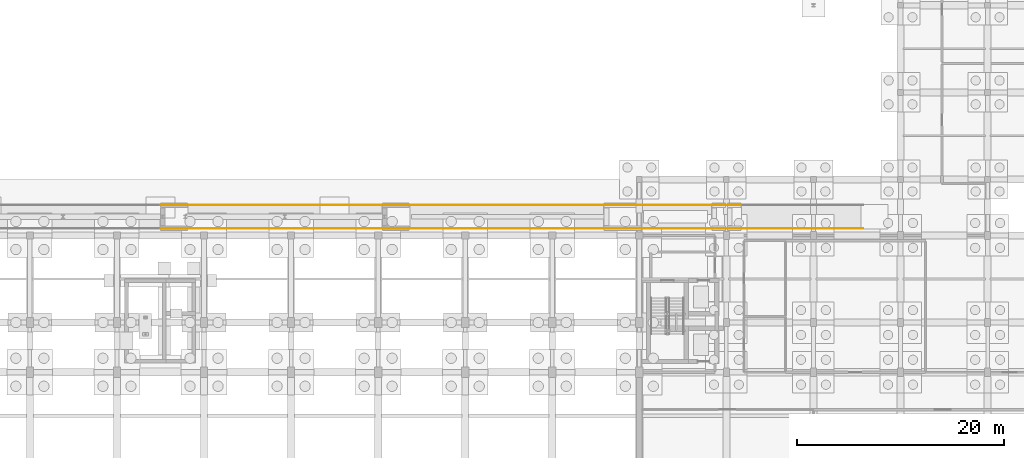
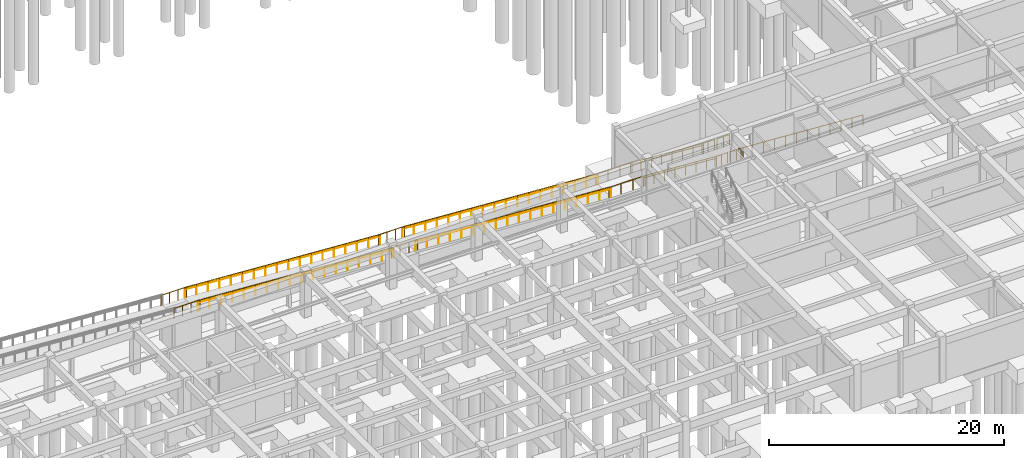
# One storey, part 46 of 49: 23 railings.
"""IFC4 building model written with IfcOpenShell, lengths in metres."""

import ifcopenshell
import ifcopenshell.guid

model = None  # the IFC model being written
_history = None  # IfcOwnerHistory: only IFC2X3 demands one
_inside = {}  # id of a spatial element -> (the spatial element, [elements in it])
_under = {}  # id of a project, library or spatial element -> (it, [spatial elements below it])
_declared = {}  # id of a project -> (the project, [libraries it declares])
_typed = {}  # id of a type object -> (the type object, [elements of that type])
_made_of = {}  # id of a material, layer set ... -> (it, [elements and type objects made of it])


def new_model(schema):
    """Start an empty IFC model of exactly this schema.

    Asked for "IFC4X3", IfcOpenShell would pick the latest addendum, in which some entities
    have other attributes; the version numbers below select the first issue.
    IFC2X3 requires an IfcOwnerHistory on every rooted entity: one is made here for all.
    """
    global model, _history
    if schema == "IFC4X3":
        model = ifcopenshell.file(schema_version=(4, 3, 0, 0))
    else:
        model = ifcopenshell.file(schema=schema)
    _inside.clear()
    _under.clear()
    _declared.clear()
    _typed.clear()
    _made_of.clear()
    _history = None
    if model.schema == "IFC2X3":
        org = make("IfcOrganization", Name="unknown")
        user = make(
            "IfcPersonAndOrganization",
            ThePerson=make("IfcPerson", FamilyName="unknown"),
            TheOrganization=org,
        )
        app = make(
            "IfcApplication",
            ApplicationDeveloper=org,
            Version="unknown",
            ApplicationFullName="unknown",
            ApplicationIdentifier="unknown",
        )
        _history = make(
            "IfcOwnerHistory",
            OwningUser=user,
            OwningApplication=app,
            ChangeAction="ADDED",
            CreationDate=0,
        )
    return model


def make(cls, **values):
    """One entity of the class cls with the attributes given. An attribute that is None is left unset."""
    return model.create_entity(
        cls, **{name: value for name, value in values.items() if value is not None}
    )


def rooted(cls, **values):
    """An entity with a GlobalId (a new one), such as an element, a storey or a relation."""
    return make(cls, GlobalId=ifcopenshell.guid.new(), OwnerHistory=_history, **values)


def si_unit(unit_type, name, prefix=None):
    """IfcSIUnit, for example si_unit("LENGTHUNIT", "METRE", prefix="MILLI")."""
    return make("IfcSIUnit", UnitType=unit_type, Prefix=prefix, Name=name)


def assignment(units):
    """IfcUnitAssignment: the units of a project."""
    return None if units is None else make("IfcUnitAssignment", Units=units)


def point(xyz):
    """IfcCartesianPoint."""
    return None if xyz is None else make("IfcCartesianPoint", Coordinates=xyz)


def direction(xyz):
    """IfcDirection."""
    return None if xyz is None else make("IfcDirection", DirectionRatios=xyz)


def frame(location, z_axis=None, x_axis=None):
    """IfcAxis2Placement3D, a coordinate frame: its origin and axes. An axis left out is left unset."""
    return make(
        "IfcAxis2Placement3D",
        Location=point(location),
        Axis=direction(z_axis),
        RefDirection=direction(x_axis),
    )


def frame_2d(location, x_axis=None):
    """IfcAxis2Placement2D, a coordinate frame in the plane: its origin and x axis."""
    return make(
        "IfcAxis2Placement2D", Location=point(location), RefDirection=direction(x_axis)
    )


def origin():
    """The frame at (0, 0, 0) with its axes left unset."""
    return frame((0.0, 0.0, 0.0))


def origin_2d():
    """The frame at (0, 0) in the plane with its x axis left unset."""
    return frame_2d((0.0, 0.0))


def place(relative_to, where):
    """IfcLocalPlacement: puts the frame where relative to a parent placement (None: the world)."""
    return make(
        "IfcLocalPlacement", PlacementRelTo=relative_to, RelativePlacement=where
    )


def context(
    kind, dimensions, precision=None, world=None, true_north=None, identifier=None
):
    """IfcGeometricRepresentationContext, for example the 3D "Model" context."""
    return make(
        "IfcGeometricRepresentationContext",
        ContextIdentifier=identifier,
        ContextType=kind,
        CoordinateSpaceDimension=dimensions,
        Precision=precision,
        WorldCoordinateSystem=world,
        TrueNorth=true_north,
    )


def subcontext(parent, identifier, kind, view, scale=None):
    """IfcGeometricRepresentationSubContext, for example "Body" below "Model"."""
    return make(
        "IfcGeometricRepresentationSubContext",
        ContextIdentifier=identifier,
        ContextType=kind,
        ParentContext=parent,
        TargetScale=scale,
        TargetView=view,
    )


def project(units=None, contexts=None):
    """IfcProject with its units and contexts."""
    return rooted(
        "IfcProject",
        Name="project",
        RepresentationContexts=contexts,
        UnitsInContext=assignment(units),
    )


def spatial(cls, under=None, at=None, **own):
    """A site, building, storey or space (cls), placed at a placement, below another one or the project."""
    s = rooted(cls, ObjectPlacement=at, **own)
    if under is not None:
        _under.setdefault(under.id(), (under, []))[1].append(s)
    return s


def profile(cls, at=None, kind="AREA", **sizes):
    """A parametric profile (cls). Its sizes go by their IFC names, for example OverallWidth=200.0."""
    return make(cls, ProfileType=kind, Position=at, **sizes)


def circle(**sizes):
    """IfcCircleProfileDef."""
    return profile("IfcCircleProfileDef", **sizes)


def extrude(swept, where, along, depth):
    """IfcExtrudedAreaSolid: the profile swept, set in the frame where, extruded along a direction by depth."""
    return make(
        "IfcExtrudedAreaSolid",
        SweptArea=swept,
        Position=where,
        ExtrudedDirection=direction(along),
        Depth=depth,
    )


def shape(context_of_items, identifier, shape_type, items):
    """IfcShapeRepresentation: the items that make up one representation, for example the "Body"."""
    return make(
        "IfcShapeRepresentation",
        ContextOfItems=context_of_items,
        RepresentationIdentifier=identifier,
        RepresentationType=shape_type,
        Items=items,
    )


def material(Name=None, Category=None):
    """IfcMaterial."""
    return make("IfcMaterial", Name=Name, Category=Category)


def made_of(thing, what):
    """Note that an element or type object is made of a material, layer set ...; save() writes the relation."""
    if what is not None:
        _made_of.setdefault(what.id(), (what, []))[1].append(thing)
    return thing


def type_object(cls, material=None, **own):
    """A type object (cls), such as IfcWallType, which elements share."""
    return made_of(rooted(cls, **own), material)


def element(
    cls,
    number,
    at=None,
    inside=None,
    cuts=None,
    type_object=None,
    material=None,
    context=None,
    identifier="Body",
    shape_type=None,
    held_by="IfcProductDefinitionShape",
    body=None,
    shapes=None,
    **own,
):
    """One element of the class cls, such as IfcWall. Its Tag is "e" and its number.

    at: its placement. inside: the storey or other place that contains it. cuts: it is an
    opening in that element (IfcRelVoidsElement). A single representation is given by context,
    identifier, shape_type and body (its items); several are given by shapes. held_by: the class
    of the entity that holds the representations. save() writes the other relations.
    """
    e = rooted(cls, Tag="e%d" % number, ObjectPlacement=at, **own)
    if body is not None:
        shapes = [shape(context, identifier, shape_type, body)]
    if shapes is not None:
        e.Representation = make(held_by, Representations=shapes)
    if inside is not None:
        _inside.setdefault(inside.id(), (inside, []))[1].append(e)
    if cuts is not None:
        rooted(
            "IfcRelVoidsElement", RelatingBuildingElement=cuts, RelatedOpeningElement=e
        )
    if type_object is not None:
        _typed.setdefault(type_object.id(), (type_object, []))[1].append(e)
    return made_of(e, material)


def aggregate(whole, parts):
    """IfcRelAggregates: a whole, such as a stair, and the parts it consists of."""
    return rooted("IfcRelAggregates", RelatingObject=whole, RelatedObjects=parts)


def save(model, path):
    """Write the relations noted so far, then the file.

    IfcRelAggregates (storeys below a building ...), IfcRelContainedInSpatialStructure (elements
    in a storey), IfcRelDefinesByType, IfcRelAssociatesMaterial and IfcRelDeclares: one each for
    every whole, place, type object, material and project.
    """
    for whole, parts in _under.values():
        aggregate(whole, parts)
    for where, things in _inside.values():
        rooted(
            "IfcRelContainedInSpatialStructure",
            RelatedElements=things,
            RelatingStructure=where,
        )
    for kind, things in _typed.values():
        rooted("IfcRelDefinesByType", RelatedObjects=things, RelatingType=kind)
    for what, things in _made_of.values():
        rooted("IfcRelAssociatesMaterial", RelatedObjects=things, RelatingMaterial=what)
    for by, libraries in _declared.values():
        rooted("IfcRelDeclares", RelatingContext=by, RelatedDefinitions=libraries)
    model.write(path)


model = new_model("IFC4")

# Units and contexts
model_context = context("Model", 3, precision=1e-05, world=origin(), true_north=direction((0.0, 1.0)))
body_context = subcontext(model_context, "Body", "Model", "MODEL_VIEW")
ifc_project = project(units=[si_unit("LENGTHUNIT", "METRE"), si_unit("AREAUNIT", "SQUARE_METRE"), si_unit("VOLUMEUNIT", "CUBIC_METRE"), si_unit("PLANEANGLEUNIT", "RADIAN"), si_unit("MASSUNIT", "GRAM", prefix="KILO")], contexts=[model_context])

# Site, building, storey
site_placement = place(None, origin())
site = spatial("IfcSite", under=ifc_project, at=site_placement, CompositionType="ELEMENT")
building_placement = place(site_placement, origin())
building = spatial("IfcBuilding", under=site, at=building_placement, Name="Krzemoval Escarpment Law Courts", CompositionType="ELEMENT")
storey_placement = place(building_placement, frame((0.0, 0.0, -4.800048828125)))
storey = spatial("IfcBuildingStorey", under=building, at=storey_placement, Name="B1", CompositionType="ELEMENT", Elevation=-4.800048828125)

# Railings
ifc_material_1 = material(Name="Galvanised Steel S355", Category="steel")
railing_type_1 = type_object("IfcRailingType", Name="RL-GRD-1100", PredefinedType="GUARDRAIL", material=ifc_material_1)
railing_1_placement = place(storey_placement, frame((65.39990234375, 36.080078125, 3.60009765625)))
element("IfcRailing", 1, at=railing_1_placement, inside=storey, type_object=railing_type_1, Name="Ramp Guardrail RG-B1-03", PredefinedType="GUARDRAIL", context=body_context, shape_type="SweptSolid", body=[
    extrude(circle(Radius=0.02392578125, at=origin_2d()), frame((0.0, 0.0, 1.076171875), z_axis=(0.998052776, 0.0, -0.062375125808), x_axis=(0.0, 1.0, 0.0)), (0.0, 0.0, 1.0), 19.237548828125),
    extrude(circle(Radius=0.02099609375, at=origin_2d()), origin(), (0.0, 0.0, 1.0), 1.052001953125),
    extrude(circle(Radius=0.02099609375, at=origin_2d()), frame((1.12939453125, 0.0, -0.070556640625)), (0.0, 0.0, 1.0), 1.052001953125),
    extrude(circle(Radius=0.02099609375, at=origin_2d()), frame((2.2587890625, 0.0, -0.14111328125)), (0.0, 0.0, 1.0), 1.052001953125),
    extrude(circle(Radius=0.02099609375, at=origin_2d()), frame((3.38818359375, 0.0, -0.211669921875)), (0.0, 0.0, 1.0), 1.052001953125),
    extrude(circle(Radius=0.02099609375, at=origin_2d()), frame((4.517578125, 0.0, -0.2822265625)), (0.0, 0.0, 1.0), 1.052001953125),
    extrude(circle(Radius=0.02099609375, at=origin_2d()), frame((5.647216796875, 0.0, -0.35302734375)), (0.0, 0.0, 1.0), 1.052001953125),
    extrude(circle(Radius=0.02099609375, at=origin_2d()), frame((6.776611328125, 0.0, -0.423583984375)), (0.0, 0.0, 1.0), 1.052001953125),
    extrude(circle(Radius=0.02099609375, at=origin_2d()), frame((7.906005859375, 0.0, -0.494140625)), (0.0, 0.0, 1.0), 1.052001953125),
    extrude(circle(Radius=0.02099609375, at=origin_2d()), frame((9.035400390625, 0.0, -0.564697265625)), (0.0, 0.0, 1.0), 1.052001953125),
    extrude(circle(Radius=0.02099609375, at=origin_2d()), frame((10.164794921875, 0.0, -0.63525390625)), (0.0, 0.0, 1.0), 1.052001953125),
    extrude(circle(Radius=0.02099609375, at=origin_2d()), frame((11.294189453125, 0.0, -0.705810546875)), (0.0, 0.0, 1.0), 1.052001953125),
    extrude(circle(Radius=0.02099609375, at=origin_2d()), frame((12.423583984375, 0.0, -0.7763671875)), (0.0, 0.0, 1.0), 1.052001953125),
    extrude(circle(Radius=0.02099609375, at=origin_2d()), frame((13.552978515625, 0.0, -0.846923828125)), (0.0, 0.0, 1.0), 1.052001953125),
    extrude(circle(Radius=0.02099609375, at=origin_2d()), frame((14.6826171875, 0.0, -0.917724609375)), (0.0, 0.0, 1.0), 1.052001953125),
    extrude(circle(Radius=0.02099609375, at=origin_2d()), frame((15.81201171875, 0.0, -0.98828125)), (0.0, 0.0, 1.0), 1.052001953125),
    extrude(circle(Radius=0.02099609375, at=origin_2d()), frame((16.94140625, 0.0, -1.058837890625)), (0.0, 0.0, 1.0), 1.052001953125),
    extrude(circle(Radius=0.02099609375, at=origin_2d()), frame((18.07080078125, 0.0, -1.12939453125)), (0.0, 0.0, 1.0), 1.052001953125),
    extrude(circle(Radius=0.02099609375, at=origin_2d()), frame((19.2001953125, 0.0, -1.199951171875)), (0.0, 0.0, 1.0), 1.052001953125),
])
railing_2_placement = place(storey_placement, frame((65.39990234375, 38.320068359375, 3.60009765625)))
element("IfcRailing", 2, at=railing_2_placement, inside=storey, type_object=railing_type_1, Name="Ramp Guardrail RG-B1-04", PredefinedType="GUARDRAIL", context=body_context, shape_type="SweptSolid", body=[
    extrude(circle(Radius=0.02392578125, at=origin_2d()), frame((0.0, 0.0, 1.076171875), z_axis=(0.998052776, 0.0, -0.062375125808), x_axis=(0.0, 1.0, 0.0)), (0.0, 0.0, 1.0), 19.237548828125),
    extrude(circle(Radius=0.02099609375, at=origin_2d()), origin(), (0.0, 0.0, 1.0), 1.052001953125),
    extrude(circle(Radius=0.02099609375, at=origin_2d()), frame((1.12939453125, 0.0, -0.070556640625)), (0.0, 0.0, 1.0), 1.052001953125),
    extrude(circle(Radius=0.02099609375, at=origin_2d()), frame((2.2587890625, 0.0, -0.14111328125)), (0.0, 0.0, 1.0), 1.052001953125),
    extrude(circle(Radius=0.02099609375, at=origin_2d()), frame((3.38818359375, 0.0, -0.211669921875)), (0.0, 0.0, 1.0), 1.052001953125),
    extrude(circle(Radius=0.02099609375, at=origin_2d()), frame((4.517578125, 0.0, -0.2822265625)), (0.0, 0.0, 1.0), 1.052001953125),
    extrude(circle(Radius=0.02099609375, at=origin_2d()), frame((5.647216796875, 0.0, -0.35302734375)), (0.0, 0.0, 1.0), 1.052001953125),
    extrude(circle(Radius=0.02099609375, at=origin_2d()), frame((6.776611328125, 0.0, -0.423583984375)), (0.0, 0.0, 1.0), 1.052001953125),
    extrude(circle(Radius=0.02099609375, at=origin_2d()), frame((7.906005859375, 0.0, -0.494140625)), (0.0, 0.0, 1.0), 1.052001953125),
    extrude(circle(Radius=0.02099609375, at=origin_2d()), frame((9.035400390625, 0.0, -0.564697265625)), (0.0, 0.0, 1.0), 1.052001953125),
    extrude(circle(Radius=0.02099609375, at=origin_2d()), frame((10.164794921875, 0.0, -0.63525390625)), (0.0, 0.0, 1.0), 1.052001953125),
    extrude(circle(Radius=0.02099609375, at=origin_2d()), frame((11.294189453125, 0.0, -0.705810546875)), (0.0, 0.0, 1.0), 1.052001953125),
    extrude(circle(Radius=0.02099609375, at=origin_2d()), frame((12.423583984375, 0.0, -0.7763671875)), (0.0, 0.0, 1.0), 1.052001953125),
    extrude(circle(Radius=0.02099609375, at=origin_2d()), frame((13.552978515625, 0.0, -0.846923828125)), (0.0, 0.0, 1.0), 1.052001953125),
    extrude(circle(Radius=0.02099609375, at=origin_2d()), frame((14.6826171875, 0.0, -0.917724609375)), (0.0, 0.0, 1.0), 1.052001953125),
    extrude(circle(Radius=0.02099609375, at=origin_2d()), frame((15.81201171875, 0.0, -0.98828125)), (0.0, 0.0, 1.0), 1.052001953125),
    extrude(circle(Radius=0.02099609375, at=origin_2d()), frame((16.94140625, 0.0, -1.058837890625)), (0.0, 0.0, 1.0), 1.052001953125),
    extrude(circle(Radius=0.02099609375, at=origin_2d()), frame((18.07080078125, 0.0, -1.12939453125)), (0.0, 0.0, 1.0), 1.052001953125),
    extrude(circle(Radius=0.02099609375, at=origin_2d()), frame((19.2001953125, 0.0, -1.199951171875)), (0.0, 0.0, 1.0), 1.052001953125),
])
railing_3_placement = place(storey_placement, frame((86.800048828125, 36.080078125, 2.400146484375)))
element("IfcRailing", 3, at=railing_3_placement, inside=storey, type_object=railing_type_1, Name="Ramp Guardrail RG-B1-05", PredefinedType="GUARDRAIL", context=body_context, shape_type="SweptSolid", body=[
    extrude(circle(Radius=0.02392578125, at=origin_2d()), frame((0.0, 0.0, 1.076171875), z_axis=(0.998051936477, 0.0, -0.062388557401), x_axis=(0.0, 1.0, 0.0)), (0.0, 0.0, 1.0), 19.237548828125),
    extrude(circle(Radius=0.02099609375, at=origin_2d()), origin(), (0.0, 0.0, 1.0), 1.052001953125),
    extrude(circle(Radius=0.02099609375, at=origin_2d()), frame((1.12939453125, 0.0, -0.070556640625)), (0.0, 0.0, 1.0), 1.052001953125),
    extrude(circle(Radius=0.02099609375, at=origin_2d()), frame((2.2587890625, 0.0, -0.14111328125)), (0.0, 0.0, 1.0), 1.052001953125),
    extrude(circle(Radius=0.02099609375, at=origin_2d()), frame((3.38818359375, 0.0, -0.2119140625)), (0.0, 0.0, 1.0), 1.052001953125),
    extrude(circle(Radius=0.02099609375, at=origin_2d()), frame((4.517578125, 0.0, -0.282470703125)), (0.0, 0.0, 1.0), 1.052001953125),
    extrude(circle(Radius=0.02099609375, at=origin_2d()), frame((5.64697265625, 0.0, -0.35302734375)), (0.0, 0.0, 1.0), 1.052001953125),
    extrude(circle(Radius=0.02099609375, at=origin_2d()), frame((6.7763671875, 0.0, -0.423583984375)), (0.0, 0.0, 1.0), 1.052001953125),
    extrude(circle(Radius=0.02099609375, at=origin_2d()), frame((7.90576171875, 0.0, -0.494140625)), (0.0, 0.0, 1.0), 1.052001953125),
    extrude(circle(Radius=0.02099609375, at=origin_2d()), frame((9.03515625, 0.0, -0.564697265625)), (0.0, 0.0, 1.0), 1.052001953125),
    extrude(circle(Radius=0.02099609375, at=origin_2d()), frame((10.164794921875, 0.0, -0.635498046875)), (0.0, 0.0, 1.0), 1.052001953125),
    extrude(circle(Radius=0.02099609375, at=origin_2d()), frame((11.294189453125, 0.0, -0.7060546875)), (0.0, 0.0, 1.0), 1.052001953125),
    extrude(circle(Radius=0.02099609375, at=origin_2d()), frame((12.423583984375, 0.0, -0.776611328125)), (0.0, 0.0, 1.0), 1.052001953125),
    extrude(circle(Radius=0.02099609375, at=origin_2d()), frame((13.552978515625, 0.0, -0.84716796875)), (0.0, 0.0, 1.0), 1.052001953125),
    extrude(circle(Radius=0.02099609375, at=origin_2d()), frame((14.682373046875, 0.0, -0.917724609375)), (0.0, 0.0, 1.0), 1.052001953125),
    extrude(circle(Radius=0.02099609375, at=origin_2d()), frame((15.811767578125, 0.0, -0.98828125)), (0.0, 0.0, 1.0), 1.052001953125),
    extrude(circle(Radius=0.02099609375, at=origin_2d()), frame((16.941162109375, 0.0, -1.05908203125)), (0.0, 0.0, 1.0), 1.052001953125),
    extrude(circle(Radius=0.02099609375, at=origin_2d()), frame((18.070556640625, 0.0, -1.129638671875)), (0.0, 0.0, 1.0), 1.052001953125),
    extrude(circle(Radius=0.02099609375, at=origin_2d()), frame((19.199951171875, 0.0, -1.2001953125)), (0.0, 0.0, 1.0), 1.052001953125),
])
railing_4_placement = place(storey_placement, frame((86.800048828125, 38.320068359375, 2.400146484375)))
element("IfcRailing", 4, at=railing_4_placement, inside=storey, type_object=railing_type_1, Name="Ramp Guardrail RG-B1-06", PredefinedType="GUARDRAIL", context=body_context, shape_type="SweptSolid", body=[
    extrude(circle(Radius=0.02392578125, at=origin_2d()), frame((0.0, 0.0, 1.076171875), z_axis=(0.998051936477, 0.0, -0.062388557401), x_axis=(0.0, 1.0, 0.0)), (0.0, 0.0, 1.0), 19.237548828125),
    extrude(circle(Radius=0.02099609375, at=origin_2d()), origin(), (0.0, 0.0, 1.0), 1.052001953125),
    extrude(circle(Radius=0.02099609375, at=origin_2d()), frame((1.12939453125, 0.0, -0.070556640625)), (0.0, 0.0, 1.0), 1.052001953125),
    extrude(circle(Radius=0.02099609375, at=origin_2d()), frame((2.2587890625, 0.0, -0.14111328125)), (0.0, 0.0, 1.0), 1.052001953125),
    extrude(circle(Radius=0.02099609375, at=origin_2d()), frame((3.38818359375, 0.0, -0.2119140625)), (0.0, 0.0, 1.0), 1.052001953125),
    extrude(circle(Radius=0.02099609375, at=origin_2d()), frame((4.517578125, 0.0, -0.282470703125)), (0.0, 0.0, 1.0), 1.052001953125),
    extrude(circle(Radius=0.02099609375, at=origin_2d()), frame((5.64697265625, 0.0, -0.35302734375)), (0.0, 0.0, 1.0), 1.052001953125),
    extrude(circle(Radius=0.02099609375, at=origin_2d()), frame((6.7763671875, 0.0, -0.423583984375)), (0.0, 0.0, 1.0), 1.052001953125),
    extrude(circle(Radius=0.02099609375, at=origin_2d()), frame((7.90576171875, 0.0, -0.494140625)), (0.0, 0.0, 1.0), 1.052001953125),
    extrude(circle(Radius=0.02099609375, at=origin_2d()), frame((9.03515625, 0.0, -0.564697265625)), (0.0, 0.0, 1.0), 1.052001953125),
    extrude(circle(Radius=0.02099609375, at=origin_2d()), frame((10.164794921875, 0.0, -0.635498046875)), (0.0, 0.0, 1.0), 1.052001953125),
    extrude(circle(Radius=0.02099609375, at=origin_2d()), frame((11.294189453125, 0.0, -0.7060546875)), (0.0, 0.0, 1.0), 1.052001953125),
    extrude(circle(Radius=0.02099609375, at=origin_2d()), frame((12.423583984375, 0.0, -0.776611328125)), (0.0, 0.0, 1.0), 1.052001953125),
    extrude(circle(Radius=0.02099609375, at=origin_2d()), frame((13.552978515625, 0.0, -0.84716796875)), (0.0, 0.0, 1.0), 1.052001953125),
    extrude(circle(Radius=0.02099609375, at=origin_2d()), frame((14.682373046875, 0.0, -0.917724609375)), (0.0, 0.0, 1.0), 1.052001953125),
    extrude(circle(Radius=0.02099609375, at=origin_2d()), frame((15.811767578125, 0.0, -0.98828125)), (0.0, 0.0, 1.0), 1.052001953125),
    extrude(circle(Radius=0.02099609375, at=origin_2d()), frame((16.941162109375, 0.0, -1.05908203125)), (0.0, 0.0, 1.0), 1.052001953125),
    extrude(circle(Radius=0.02099609375, at=origin_2d()), frame((18.070556640625, 0.0, -1.129638671875)), (0.0, 0.0, 1.0), 1.052001953125),
    extrude(circle(Radius=0.02099609375, at=origin_2d()), frame((19.199951171875, 0.0, -1.2001953125)), (0.0, 0.0, 1.0), 1.052001953125),
])
for number, where, name in (
    (5, (109.199951171875, 36.080078125, 1.199951171875), "Ramp Guardrail RG-B1-07"),
    (6, (109.199951171875, 38.320068359375, 1.199951171875), "Ramp Guardrail RG-B1-08"),
):
    element("IfcRailing", number, at=place(storey_placement, frame(where)), inside=storey, type_object=railing_type_1, Name=name, PredefinedType="GUARDRAIL", context=body_context, shape_type="SweptSolid", body=[
        extrude(circle(Radius=0.02392578125, at=origin_2d()), frame((0.0, 0.0, 1.076171875), z_axis=(0.998052973513, 0.0, -0.062371965352), x_axis=(0.0, 1.0, 0.0)), (0.0, 0.0, 1.0), 7.214111328125),
        extrude(circle(Radius=0.02099609375, at=origin_2d()), origin(), (0.0, 0.0, 1.0), 1.052001953125),
        extrude(circle(Radius=0.02099609375, at=origin_2d()), frame((1.028564453125, 0.0, -0.064208984375)), (0.0, 0.0, 1.0), 1.052001953125),
        extrude(circle(Radius=0.02099609375, at=origin_2d()), frame((2.05712890625, 0.0, -0.128662109375)), (0.0, 0.0, 1.0), 1.052001953125),
        extrude(circle(Radius=0.02099609375, at=origin_2d()), frame((3.085693359375, 0.0, -0.19287109375)), (0.0, 0.0, 1.0), 1.052001953125),
        extrude(circle(Radius=0.02099609375, at=origin_2d()), frame((4.1142578125, 0.0, -0.257080078125)), (0.0, 0.0, 1.0), 1.052001953125),
        extrude(circle(Radius=0.02099609375, at=origin_2d()), frame((5.142822265625, 0.0, -0.3212890625)), (0.0, 0.0, 1.0), 1.052001953125),
        extrude(circle(Radius=0.02099609375, at=origin_2d()), frame((6.17138671875, 0.0, -0.3857421875)), (0.0, 0.0, 1.0), 1.052001953125),
        extrude(circle(Radius=0.02099609375, at=origin_2d()), frame((7.199951171875, 0.0, -0.449951171875)), (0.0, 0.0, 1.0), 1.052001953125),
    ])
railing_5_placement = place(storey_placement, frame((118.800048828125, 36.080078125, 0.75)))
element("IfcRailing", 7, at=railing_5_placement, inside=storey, type_object=railing_type_1, Name="Ramp Guardrail RG-B1-09", PredefinedType="GUARDRAIL", context=body_context, shape_type="SweptSolid", body=[
    extrude(circle(Radius=0.02392578125, at=origin_2d()), frame((0.0, 0.0, 1.076171875), z_axis=(0.998052578483, 0.0, -0.062378286155), x_axis=(0.0, 1.0, 0.0)), (0.0, 0.0, 1.0), 12.0234375),
    extrude(circle(Radius=0.02099609375, at=origin_2d()), origin(), (0.0, 0.0, 1.0), 1.052001953125),
    extrude(circle(Radius=0.02099609375, at=origin_2d()), frame((1.0908203125, 0.0, -0.068115234375)), (0.0, 0.0, 1.0), 1.052001953125),
    extrude(circle(Radius=0.02099609375, at=origin_2d()), frame((2.181884765625, 0.0, -0.136474609375)), (0.0, 0.0, 1.0), 1.052001953125),
    extrude(circle(Radius=0.02099609375, at=origin_2d()), frame((3.272705078125, 0.0, -0.20458984375)), (0.0, 0.0, 1.0), 1.052001953125),
    extrude(circle(Radius=0.02099609375, at=origin_2d()), frame((4.363525390625, 0.0, -0.272705078125)), (0.0, 0.0, 1.0), 1.052001953125),
    extrude(circle(Radius=0.02099609375, at=origin_2d()), frame((5.45458984375, 0.0, -0.3408203125)), (0.0, 0.0, 1.0), 1.052001953125),
    extrude(circle(Radius=0.02099609375, at=origin_2d()), frame((6.54541015625, 0.0, -0.4091796875)), (0.0, 0.0, 1.0), 1.052001953125),
    extrude(circle(Radius=0.02099609375, at=origin_2d()), frame((7.636474609375, 0.0, -0.477294921875)), (0.0, 0.0, 1.0), 1.052001953125),
    extrude(circle(Radius=0.02099609375, at=origin_2d()), frame((8.727294921875, 0.0, -0.54541015625)), (0.0, 0.0, 1.0), 1.052001953125),
    extrude(circle(Radius=0.02099609375, at=origin_2d()), frame((9.818115234375, 0.0, -0.613525390625)), (0.0, 0.0, 1.0), 1.052001953125),
    extrude(circle(Radius=0.02099609375, at=origin_2d()), frame((10.9091796875, 0.0, -0.681884765625)), (0.0, 0.0, 1.0), 1.052001953125),
    extrude(circle(Radius=0.02099609375, at=origin_2d()), frame((12.0, 0.0, -0.75)), (0.0, 0.0, 1.0), 1.052001953125),
])
for number, where, name in (
    (8, (63.030029296875, 36.080078125, 3.60009765625), "Ramp Landing Guardrail RLG-02S"),
    (9, (63.030029296875, 38.320068359375, 3.60009765625), "Ramp Landing Guardrail RLG-02N"),
    (10, (84.429931640625, 36.080078125, 2.400146484375), "Ramp Landing Guardrail RLG-03S"),
    (11, (84.429931640625, 38.320068359375, 2.400146484375), "Ramp Landing Guardrail RLG-03N"),
):
    element("IfcRailing", number, at=place(storey_placement, frame(where)), inside=storey, type_object=railing_type_1, Name=name, PredefinedType="GUARDRAIL", context=body_context, shape_type="SweptSolid", body=[
        extrude(circle(Radius=0.02392578125, at=origin_2d()), frame((0.0, 0.0, 1.076171875), z_axis=(1.0, 0.0, 0.0), x_axis=(0.0, 1.0, 0.0)), (0.0, 0.0, 1.0), 2.5400390625),
        extrude(circle(Radius=0.02099609375, at=origin_2d()), origin(), (0.0, 0.0, 1.0), 1.052001953125),
        extrude(circle(Radius=0.02099609375, at=origin_2d()), frame((0.8466796875, 0.0, 0.0)), (0.0, 0.0, 1.0), 1.052001953125),
        extrude(circle(Radius=0.02099609375, at=origin_2d()), frame((1.693359375, 0.0, 0.0)), (0.0, 0.0, 1.0), 1.052001953125),
        extrude(circle(Radius=0.02099609375, at=origin_2d()), frame((2.5400390625, 0.0, 0.0)), (0.0, 0.0, 1.0), 1.052001953125),
    ])
for number, where, name in (
    (12, (105.830078125, 36.080078125, 1.199951171875), "Ramp Landing Guardrail RLG-04S"),
    (13, (105.830078125, 38.320068359375, 1.199951171875), "Ramp Landing Guardrail RLG-04N"),
):
    element("IfcRailing", number, at=place(storey_placement, frame(where)), inside=storey, type_object=railing_type_1, Name=name, PredefinedType="GUARDRAIL", context=body_context, shape_type="SweptSolid", body=[
        extrude(circle(Radius=0.02392578125, at=origin_2d()), frame((0.0, 0.0, 1.076171875), z_axis=(1.0, 0.0, 0.0), x_axis=(0.0, 1.0, 0.0)), (0.0, 0.0, 1.0), 3.5400390625),
        extrude(circle(Radius=0.02099609375, at=origin_2d()), origin(), (0.0, 0.0, 1.0), 1.052001953125),
        extrude(circle(Radius=0.02099609375, at=origin_2d()), frame((1.179931640625, 0.0, 0.0)), (0.0, 0.0, 1.0), 1.052001953125),
        extrude(circle(Radius=0.02099609375, at=origin_2d()), frame((2.360107421875, 0.0, 0.0)), (0.0, 0.0, 1.0), 1.052001953125),
        extrude(circle(Radius=0.02099609375, at=origin_2d()), frame((3.5400390625, 0.0, 0.0)), (0.0, 0.0, 1.0), 1.052001953125),
    ])
for number, where, name in (
    (14, (116.22998046875, 36.080078125, 0.75), "Ramp Landing Guardrail RLG-05S"),
    (15, (116.22998046875, 38.320068359375, 0.75), "Ramp Landing Guardrail RLG-05N"),
    (16, (117.719970703125, 36.080078125, 0.75), "Ramp Landing Guardrail RLG-06S"),
    (17, (117.719970703125, 38.320068359375, 0.75), "Ramp Landing Guardrail RLG-06N"),
):
    element("IfcRailing", number, at=place(storey_placement, frame(where)), inside=storey, type_object=railing_type_1, Name=name, PredefinedType="GUARDRAIL", context=body_context, shape_type="SweptSolid", body=[
        extrude(circle(Radius=0.02392578125, at=origin_2d()), frame((0.0, 0.0, 1.076171875), z_axis=(1.0, 0.0, 0.0), x_axis=(0.0, 1.0, 0.0)), (0.0, 0.0, 1.0), 1.25),
        extrude(circle(Radius=0.02099609375, at=origin_2d()), origin(), (0.0, 0.0, 1.0), 1.052001953125),
        extrude(circle(Radius=0.02099609375, at=origin_2d()), frame((0.625, 0.0, 0.0)), (0.0, 0.0, 1.0), 1.052001953125),
        extrude(circle(Radius=0.02099609375, at=origin_2d()), frame((1.25, 0.0, 0.0)), (0.0, 0.0, 1.0), 1.052001953125),
    ])
ifc_material_2 = material(Name="Brushed Stainless Steel Grade 304 Handrail", Category="steel")
railing_type_2 = type_object("IfcRailingType", Name="RL-HND-900", PredefinedType="HANDRAIL", material=ifc_material_2)
railing_6_placement = place(storey_placement, frame((65.39990234375, 36.080078125, 3.60009765625)))
element("IfcRailing", 18, at=railing_6_placement, inside=storey, type_object=railing_type_2, Name="Ramp Handrail RH-B1-03", PredefinedType="HANDRAIL", context=body_context, shape_type="SweptSolid", body=[
    extrude(circle(Radius=0.02392578125, at=origin_2d()), frame((0.0, 0.0, 0.8759765625), z_axis=(0.998052776, 0.0, -0.062375125808), x_axis=(0.0, 1.0, 0.0)), (0.0, 0.0, 1.0), 19.237548828125),
    extrude(circle(Radius=0.02099609375, at=origin_2d()), origin(), (0.0, 0.0, 1.0), 0.851806640625),
    extrude(circle(Radius=0.02099609375, at=origin_2d()), frame((1.12939453125, 0.0, -0.070556640625)), (0.0, 0.0, 1.0), 0.851806640625),
    extrude(circle(Radius=0.02099609375, at=origin_2d()), frame((2.2587890625, 0.0, -0.14111328125)), (0.0, 0.0, 1.0), 0.851806640625),
    extrude(circle(Radius=0.02099609375, at=origin_2d()), frame((3.38818359375, 0.0, -0.211669921875)), (0.0, 0.0, 1.0), 0.851806640625),
    extrude(circle(Radius=0.02099609375, at=origin_2d()), frame((4.517578125, 0.0, -0.2822265625)), (0.0, 0.0, 1.0), 0.851806640625),
    extrude(circle(Radius=0.02099609375, at=origin_2d()), frame((5.647216796875, 0.0, -0.35302734375)), (0.0, 0.0, 1.0), 0.851806640625),
    extrude(circle(Radius=0.02099609375, at=origin_2d()), frame((6.776611328125, 0.0, -0.423583984375)), (0.0, 0.0, 1.0), 0.851806640625),
    extrude(circle(Radius=0.02099609375, at=origin_2d()), frame((7.906005859375, 0.0, -0.494140625)), (0.0, 0.0, 1.0), 0.851806640625),
    extrude(circle(Radius=0.02099609375, at=origin_2d()), frame((9.035400390625, 0.0, -0.564697265625)), (0.0, 0.0, 1.0), 0.851806640625),
    extrude(circle(Radius=0.02099609375, at=origin_2d()), frame((10.164794921875, 0.0, -0.63525390625)), (0.0, 0.0, 1.0), 0.851806640625),
    extrude(circle(Radius=0.02099609375, at=origin_2d()), frame((11.294189453125, 0.0, -0.705810546875)), (0.0, 0.0, 1.0), 0.851806640625),
    extrude(circle(Radius=0.02099609375, at=origin_2d()), frame((12.423583984375, 0.0, -0.7763671875)), (0.0, 0.0, 1.0), 0.851806640625),
    extrude(circle(Radius=0.02099609375, at=origin_2d()), frame((13.552978515625, 0.0, -0.846923828125)), (0.0, 0.0, 1.0), 0.851806640625),
    extrude(circle(Radius=0.02099609375, at=origin_2d()), frame((14.6826171875, 0.0, -0.917724609375)), (0.0, 0.0, 1.0), 0.851806640625),
    extrude(circle(Radius=0.02099609375, at=origin_2d()), frame((15.81201171875, 0.0, -0.98828125)), (0.0, 0.0, 1.0), 0.851806640625),
    extrude(circle(Radius=0.02099609375, at=origin_2d()), frame((16.94140625, 0.0, -1.058837890625)), (0.0, 0.0, 1.0), 0.851806640625),
    extrude(circle(Radius=0.02099609375, at=origin_2d()), frame((18.07080078125, 0.0, -1.12939453125)), (0.0, 0.0, 1.0), 0.851806640625),
    extrude(circle(Radius=0.02099609375, at=origin_2d()), frame((19.2001953125, 0.0, -1.199951171875)), (0.0, 0.0, 1.0), 0.851806640625),
])
railing_7_placement = place(storey_placement, frame((65.39990234375, 38.320068359375, 3.60009765625)))
element("IfcRailing", 19, at=railing_7_placement, inside=storey, type_object=railing_type_2, Name="Ramp Handrail RH-B1-04", PredefinedType="HANDRAIL", context=body_context, shape_type="SweptSolid", body=[
    extrude(circle(Radius=0.02392578125, at=origin_2d()), frame((0.0, 0.0, 0.8759765625), z_axis=(0.998052776, 0.0, -0.062375125808), x_axis=(0.0, 1.0, 0.0)), (0.0, 0.0, 1.0), 19.237548828125),
    extrude(circle(Radius=0.02099609375, at=origin_2d()), origin(), (0.0, 0.0, 1.0), 0.851806640625),
    extrude(circle(Radius=0.02099609375, at=origin_2d()), frame((1.12939453125, 0.0, -0.070556640625)), (0.0, 0.0, 1.0), 0.851806640625),
    extrude(circle(Radius=0.02099609375, at=origin_2d()), frame((2.2587890625, 0.0, -0.14111328125)), (0.0, 0.0, 1.0), 0.851806640625),
    extrude(circle(Radius=0.02099609375, at=origin_2d()), frame((3.38818359375, 0.0, -0.211669921875)), (0.0, 0.0, 1.0), 0.851806640625),
    extrude(circle(Radius=0.02099609375, at=origin_2d()), frame((4.517578125, 0.0, -0.2822265625)), (0.0, 0.0, 1.0), 0.851806640625),
    extrude(circle(Radius=0.02099609375, at=origin_2d()), frame((5.647216796875, 0.0, -0.35302734375)), (0.0, 0.0, 1.0), 0.851806640625),
    extrude(circle(Radius=0.02099609375, at=origin_2d()), frame((6.776611328125, 0.0, -0.423583984375)), (0.0, 0.0, 1.0), 0.851806640625),
    extrude(circle(Radius=0.02099609375, at=origin_2d()), frame((7.906005859375, 0.0, -0.494140625)), (0.0, 0.0, 1.0), 0.851806640625),
    extrude(circle(Radius=0.02099609375, at=origin_2d()), frame((9.035400390625, 0.0, -0.564697265625)), (0.0, 0.0, 1.0), 0.851806640625),
    extrude(circle(Radius=0.02099609375, at=origin_2d()), frame((10.164794921875, 0.0, -0.63525390625)), (0.0, 0.0, 1.0), 0.851806640625),
    extrude(circle(Radius=0.02099609375, at=origin_2d()), frame((11.294189453125, 0.0, -0.705810546875)), (0.0, 0.0, 1.0), 0.851806640625),
    extrude(circle(Radius=0.02099609375, at=origin_2d()), frame((12.423583984375, 0.0, -0.7763671875)), (0.0, 0.0, 1.0), 0.851806640625),
    extrude(circle(Radius=0.02099609375, at=origin_2d()), frame((13.552978515625, 0.0, -0.846923828125)), (0.0, 0.0, 1.0), 0.851806640625),
    extrude(circle(Radius=0.02099609375, at=origin_2d()), frame((14.6826171875, 0.0, -0.917724609375)), (0.0, 0.0, 1.0), 0.851806640625),
    extrude(circle(Radius=0.02099609375, at=origin_2d()), frame((15.81201171875, 0.0, -0.98828125)), (0.0, 0.0, 1.0), 0.851806640625),
    extrude(circle(Radius=0.02099609375, at=origin_2d()), frame((16.94140625, 0.0, -1.058837890625)), (0.0, 0.0, 1.0), 0.851806640625),
    extrude(circle(Radius=0.02099609375, at=origin_2d()), frame((18.07080078125, 0.0, -1.12939453125)), (0.0, 0.0, 1.0), 0.851806640625),
    extrude(circle(Radius=0.02099609375, at=origin_2d()), frame((19.2001953125, 0.0, -1.199951171875)), (0.0, 0.0, 1.0), 0.851806640625),
])
railing_8_placement = place(storey_placement, frame((86.800048828125, 36.080078125, 2.400146484375)))
element("IfcRailing", 20, at=railing_8_placement, inside=storey, type_object=railing_type_2, Name="Ramp Handrail RH-B1-05", PredefinedType="HANDRAIL", context=body_context, shape_type="SweptSolid", body=[
    extrude(circle(Radius=0.02392578125, at=origin_2d()), frame((0.0, 0.0, 0.8759765625), z_axis=(0.998051936477, 0.0, -0.062388557401), x_axis=(0.0, 1.0, 0.0)), (0.0, 0.0, 1.0), 19.237548828125),
    extrude(circle(Radius=0.02099609375, at=origin_2d()), origin(), (0.0, 0.0, 1.0), 0.851806640625),
    extrude(circle(Radius=0.02099609375, at=origin_2d()), frame((1.12939453125, 0.0, -0.070556640625)), (0.0, 0.0, 1.0), 0.851806640625),
    extrude(circle(Radius=0.02099609375, at=origin_2d()), frame((2.2587890625, 0.0, -0.14111328125)), (0.0, 0.0, 1.0), 0.851806640625),
    extrude(circle(Radius=0.02099609375, at=origin_2d()), frame((3.38818359375, 0.0, -0.2119140625)), (0.0, 0.0, 1.0), 0.851806640625),
    extrude(circle(Radius=0.02099609375, at=origin_2d()), frame((4.517578125, 0.0, -0.282470703125)), (0.0, 0.0, 1.0), 0.851806640625),
    extrude(circle(Radius=0.02099609375, at=origin_2d()), frame((5.64697265625, 0.0, -0.35302734375)), (0.0, 0.0, 1.0), 0.851806640625),
    extrude(circle(Radius=0.02099609375, at=origin_2d()), frame((6.7763671875, 0.0, -0.423583984375)), (0.0, 0.0, 1.0), 0.851806640625),
    extrude(circle(Radius=0.02099609375, at=origin_2d()), frame((7.90576171875, 0.0, -0.494140625)), (0.0, 0.0, 1.0), 0.851806640625),
    extrude(circle(Radius=0.02099609375, at=origin_2d()), frame((9.03515625, 0.0, -0.564697265625)), (0.0, 0.0, 1.0), 0.851806640625),
    extrude(circle(Radius=0.02099609375, at=origin_2d()), frame((10.164794921875, 0.0, -0.635498046875)), (0.0, 0.0, 1.0), 0.851806640625),
    extrude(circle(Radius=0.02099609375, at=origin_2d()), frame((11.294189453125, 0.0, -0.7060546875)), (0.0, 0.0, 1.0), 0.851806640625),
    extrude(circle(Radius=0.02099609375, at=origin_2d()), frame((12.423583984375, 0.0, -0.776611328125)), (0.0, 0.0, 1.0), 0.851806640625),
    extrude(circle(Radius=0.02099609375, at=origin_2d()), frame((13.552978515625, 0.0, -0.84716796875)), (0.0, 0.0, 1.0), 0.851806640625),
    extrude(circle(Radius=0.02099609375, at=origin_2d()), frame((14.682373046875, 0.0, -0.917724609375)), (0.0, 0.0, 1.0), 0.851806640625),
    extrude(circle(Radius=0.02099609375, at=origin_2d()), frame((15.811767578125, 0.0, -0.98828125)), (0.0, 0.0, 1.0), 0.851806640625),
    extrude(circle(Radius=0.02099609375, at=origin_2d()), frame((16.941162109375, 0.0, -1.05908203125)), (0.0, 0.0, 1.0), 0.851806640625),
    extrude(circle(Radius=0.02099609375, at=origin_2d()), frame((18.070556640625, 0.0, -1.129638671875)), (0.0, 0.0, 1.0), 0.851806640625),
    extrude(circle(Radius=0.02099609375, at=origin_2d()), frame((19.199951171875, 0.0, -1.2001953125)), (0.0, 0.0, 1.0), 0.851806640625),
])
railing_9_placement = place(storey_placement, frame((86.800048828125, 38.320068359375, 2.400146484375)))
element("IfcRailing", 21, at=railing_9_placement, inside=storey, type_object=railing_type_2, Name="Ramp Handrail RH-B1-06", PredefinedType="HANDRAIL", context=body_context, shape_type="SweptSolid", body=[
    extrude(circle(Radius=0.02392578125, at=origin_2d()), frame((0.0, 0.0, 0.8759765625), z_axis=(0.998051936477, 0.0, -0.062388557401), x_axis=(0.0, 1.0, 0.0)), (0.0, 0.0, 1.0), 19.237548828125),
    extrude(circle(Radius=0.02099609375, at=origin_2d()), origin(), (0.0, 0.0, 1.0), 0.851806640625),
    extrude(circle(Radius=0.02099609375, at=origin_2d()), frame((1.12939453125, 0.0, -0.070556640625)), (0.0, 0.0, 1.0), 0.851806640625),
    extrude(circle(Radius=0.02099609375, at=origin_2d()), frame((2.2587890625, 0.0, -0.14111328125)), (0.0, 0.0, 1.0), 0.851806640625),
    extrude(circle(Radius=0.02099609375, at=origin_2d()), frame((3.38818359375, 0.0, -0.2119140625)), (0.0, 0.0, 1.0), 0.851806640625),
    extrude(circle(Radius=0.02099609375, at=origin_2d()), frame((4.517578125, 0.0, -0.282470703125)), (0.0, 0.0, 1.0), 0.851806640625),
    extrude(circle(Radius=0.02099609375, at=origin_2d()), frame((5.64697265625, 0.0, -0.35302734375)), (0.0, 0.0, 1.0), 0.851806640625),
    extrude(circle(Radius=0.02099609375, at=origin_2d()), frame((6.7763671875, 0.0, -0.423583984375)), (0.0, 0.0, 1.0), 0.851806640625),
    extrude(circle(Radius=0.02099609375, at=origin_2d()), frame((7.90576171875, 0.0, -0.494140625)), (0.0, 0.0, 1.0), 0.851806640625),
    extrude(circle(Radius=0.02099609375, at=origin_2d()), frame((9.03515625, 0.0, -0.564697265625)), (0.0, 0.0, 1.0), 0.851806640625),
    extrude(circle(Radius=0.02099609375, at=origin_2d()), frame((10.164794921875, 0.0, -0.635498046875)), (0.0, 0.0, 1.0), 0.851806640625),
    extrude(circle(Radius=0.02099609375, at=origin_2d()), frame((11.294189453125, 0.0, -0.7060546875)), (0.0, 0.0, 1.0), 0.851806640625),
    extrude(circle(Radius=0.02099609375, at=origin_2d()), frame((12.423583984375, 0.0, -0.776611328125)), (0.0, 0.0, 1.0), 0.851806640625),
    extrude(circle(Radius=0.02099609375, at=origin_2d()), frame((13.552978515625, 0.0, -0.84716796875)), (0.0, 0.0, 1.0), 0.851806640625),
    extrude(circle(Radius=0.02099609375, at=origin_2d()), frame((14.682373046875, 0.0, -0.917724609375)), (0.0, 0.0, 1.0), 0.851806640625),
    extrude(circle(Radius=0.02099609375, at=origin_2d()), frame((15.811767578125, 0.0, -0.98828125)), (0.0, 0.0, 1.0), 0.851806640625),
    extrude(circle(Radius=0.02099609375, at=origin_2d()), frame((16.941162109375, 0.0, -1.05908203125)), (0.0, 0.0, 1.0), 0.851806640625),
    extrude(circle(Radius=0.02099609375, at=origin_2d()), frame((18.070556640625, 0.0, -1.129638671875)), (0.0, 0.0, 1.0), 0.851806640625),
    extrude(circle(Radius=0.02099609375, at=origin_2d()), frame((19.199951171875, 0.0, -1.2001953125)), (0.0, 0.0, 1.0), 0.851806640625),
])
for number, where, name in (
    (22, (109.199951171875, 36.080078125, 1.199951171875), "Ramp Handrail RH-B1-07"),
    (23, (109.199951171875, 38.320068359375, 1.199951171875), "Ramp Handrail RH-B1-08"),
):
    element("IfcRailing", number, at=place(storey_placement, frame(where)), inside=storey, type_object=railing_type_2, Name=name, PredefinedType="HANDRAIL", context=body_context, shape_type="SweptSolid", body=[
        extrude(circle(Radius=0.02392578125, at=origin_2d()), frame((0.0, 0.0, 0.8759765625), z_axis=(0.998052973513, 0.0, -0.062371965352), x_axis=(0.0, 1.0, 0.0)), (0.0, 0.0, 1.0), 7.214111328125),
        extrude(circle(Radius=0.02099609375, at=origin_2d()), origin(), (0.0, 0.0, 1.0), 0.851806640625),
        extrude(circle(Radius=0.02099609375, at=origin_2d()), frame((1.028564453125, 0.0, -0.064208984375)), (0.0, 0.0, 1.0), 0.851806640625),
        extrude(circle(Radius=0.02099609375, at=origin_2d()), frame((2.05712890625, 0.0, -0.128662109375)), (0.0, 0.0, 1.0), 0.851806640625),
        extrude(circle(Radius=0.02099609375, at=origin_2d()), frame((3.085693359375, 0.0, -0.19287109375)), (0.0, 0.0, 1.0), 0.851806640625),
        extrude(circle(Radius=0.02099609375, at=origin_2d()), frame((4.1142578125, 0.0, -0.257080078125)), (0.0, 0.0, 1.0), 0.851806640625),
        extrude(circle(Radius=0.02099609375, at=origin_2d()), frame((5.142822265625, 0.0, -0.3212890625)), (0.0, 0.0, 1.0), 0.851806640625),
        extrude(circle(Radius=0.02099609375, at=origin_2d()), frame((6.17138671875, 0.0, -0.3857421875)), (0.0, 0.0, 1.0), 0.851806640625),
        extrude(circle(Radius=0.02099609375, at=origin_2d()), frame((7.199951171875, 0.0, -0.449951171875)), (0.0, 0.0, 1.0), 0.851806640625),
    ])

save(model, "model.ifc")
